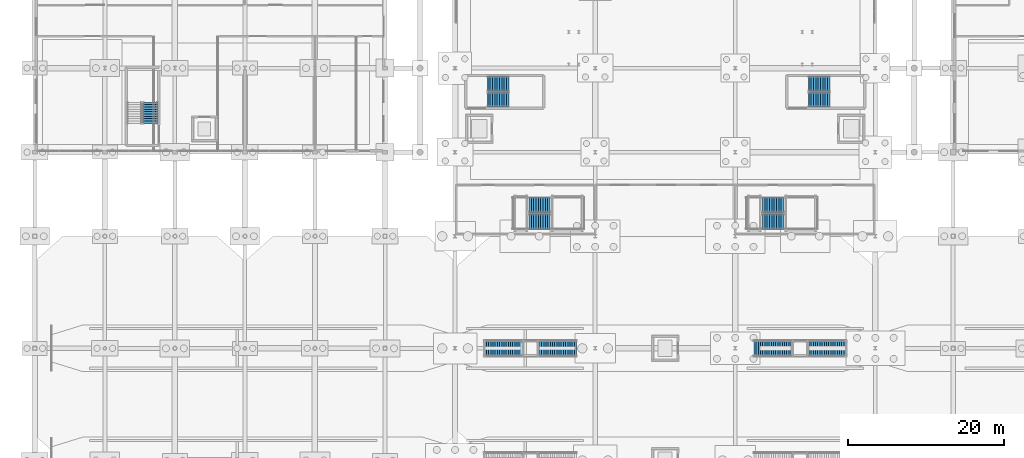
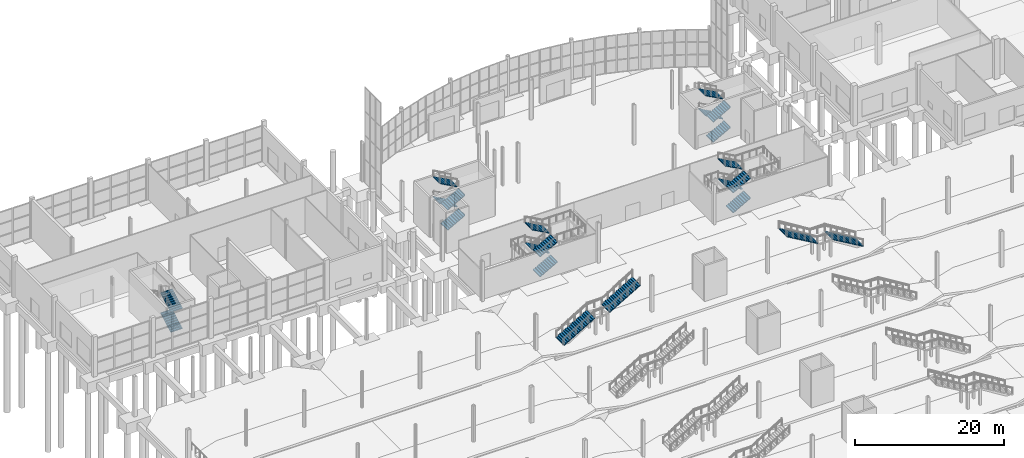
# One storey, part 97 of 115: 22 stair flights, 7 elements without a shape of their own.
"""IFC4 building model written with IfcOpenShell, lengths in metres."""

from ifc_helpers import new_model, si_unit, direction, frame, origin, place, context, subcontext, project, spatial, polyline, outline, extrude, material, type_object, element, aggregate, save


model = new_model("IFC4")

# Units and contexts
model_context = context("Model", 3, precision=1e-05, world=origin(), true_north=direction((0.0, 1.0)))
body_context = subcontext(model_context, "Body", "Model", "MODEL_VIEW")
ifc_project = project(units=[si_unit("LENGTHUNIT", "METRE"), si_unit("AREAUNIT", "SQUARE_METRE"), si_unit("VOLUMEUNIT", "CUBIC_METRE"), si_unit("PLANEANGLEUNIT", "RADIAN"), si_unit("MASSUNIT", "GRAM", prefix="KILO")], contexts=[model_context])

# Site, building, storey
site_placement = place(None, origin())
site = spatial("IfcSite", under=ifc_project, at=site_placement, CompositionType="ELEMENT")
building_placement = place(site_placement, origin())
building = spatial("IfcBuilding", under=site, at=building_placement, Name="Tamarisk Ironworks Central Station", CompositionType="ELEMENT")
storey_placement = place(building_placement, origin())
storey = spatial("IfcBuildingStorey", under=building, at=storey_placement, Name="L00", CompositionType="ELEMENT", Elevation=0.0)

# Stair, stair flights
ifc_material = material(Name="Concrete C35/45", Category="concrete")
stair_type_1 = type_object("IfcStairType", Name="ST-CORE-B", PredefinedType="HALF_TURN_STAIR", material=ifc_material)
stair_1_placement = place(storey_placement, origin())
stair_1 = element("IfcStair", 1, at=stair_1_placement, inside=storey, type_object=stair_type_1, Name="L00 West Concourse Exit Stair Core 3", PredefinedType="HALF_TURN_STAIR")
stair_flight_type_1 = type_object("IfcStairFlightType", Name="SF-CORE-B", PredefinedType="STRAIGHT", material=ifc_material)
stair_flight_1_placement = place(storey_placement, frame((58.199951171875, 96.72509765625, 0.0), z_axis=(0.0, 0.0, 1.0), x_axis=(1.0, 0.0, 0.0)))
stair_flight_1 = element("IfcStairFlight", 2, at=stair_flight_1_placement, type_object=stair_flight_type_1, Name="ST-C3 flight 1", NumberOfRisers=10, NumberOfTreads=9, PredefinedType="STRAIGHT", RiserHeight=0.165, TreadLength=0.3, context=body_context, shape_type="SweptSolid", body=[
    extrude(outline(polyline([(-0.01806640625, 0.0), (-0.01806640625, 0.107177734375), (0.0, 0.107177734375), (0.0, 0.1650390625), (0.300048828125, 0.1650390625), (0.300048828125, 0.330078125), (0.60009765625, 0.330078125), (0.60009765625, 0.4951171875), (0.89990234375, 0.4951171875), (0.89990234375, 0.659912109375), (1.199951171875, 0.659912109375), (1.199951171875, 0.824951171875), (1.5, 0.824951171875), (1.5, 0.989990234375), (1.800048828125, 0.989990234375), (1.800048828125, 1.155029296875), (2.10009765625, 1.155029296875), (2.10009765625, 1.320068359375), (2.39990234375, 1.320068359375), (2.39990234375, 1.485107421875), (2.699951171875, 1.485107421875), (2.699951171875, 1.64990234375), (2.718017578125, 1.64990234375), (2.718017578125, 1.4599609375), (0.080078125, 0.0), (-0.01806640625, 0.0)])), frame((0.0, 0.925048828125, 0.0), z_axis=(0.0, -1.0, 0.0), x_axis=(1.0, 0.0, 0.0)), (0.0, 0.0, 1.0), 1.85009765625),
])
stair_flight_2_placement = place(storey_placement, frame((60.89990234375, 98.77490234375, 1.64990234375), z_axis=(0.0, 0.0, 1.0), x_axis=(-1.0, 0.0, 0.0)))
stair_flight_2 = element("IfcStairFlight", 3, at=stair_flight_2_placement, type_object=stair_flight_type_1, Name="ST-C3 flight 2", NumberOfRisers=10, NumberOfTreads=9, PredefinedType="STRAIGHT", RiserHeight=0.165, TreadLength=0.3, context=body_context, shape_type="SweptSolid", body=[
    extrude(outline(polyline([(-0.01806640625, 0.0), (-0.01806640625, 0.107177734375), (0.0, 0.107177734375), (0.0, 0.1650390625), (0.300048828125, 0.1650390625), (0.300048828125, 0.330078125), (0.60009765625, 0.330078125), (0.60009765625, 0.4951171875), (0.89990234375, 0.4951171875), (0.89990234375, 0.659912109375), (1.199951171875, 0.659912109375), (1.199951171875, 0.824951171875), (1.5, 0.824951171875), (1.5, 0.989990234375), (1.800048828125, 0.989990234375), (1.800048828125, 1.155029296875), (2.10009765625, 1.155029296875), (2.10009765625, 1.320068359375), (2.39990234375, 1.320068359375), (2.39990234375, 1.485107421875), (2.699951171875, 1.485107421875), (2.699951171875, 1.64990234375), (2.718017578125, 1.64990234375), (2.718017578125, 1.4599609375), (0.080078125, 0.0), (-0.01806640625, 0.0)])), frame((0.0, 0.925048828125, 0.0), z_axis=(0.0, -1.0, 0.0), x_axis=(1.0, 0.0, 0.0)), (0.0, 0.0, 1.0), 1.85009765625),
])
stair_flight_3_placement = place(storey_placement, frame((58.199951171875, 96.72509765625, 3.300048828125), z_axis=(0.0, 0.0, 1.0), x_axis=(1.0, 0.0, 0.0)))
stair_flight_3 = element("IfcStairFlight", 4, at=stair_flight_3_placement, type_object=stair_flight_type_1, Name="ST-C3 flight 3", NumberOfRisers=10, NumberOfTreads=9, PredefinedType="STRAIGHT", RiserHeight=0.165, TreadLength=0.3, context=body_context, shape_type="SweptSolid", body=[
    extrude(outline(polyline([(-0.01806640625, 0.0), (-0.01806640625, 0.107177734375), (0.0, 0.107177734375), (0.0, 0.1650390625), (0.300048828125, 0.1650390625), (0.300048828125, 0.330078125), (0.60009765625, 0.330078125), (0.60009765625, 0.4951171875), (0.89990234375, 0.4951171875), (0.89990234375, 0.659912109375), (1.199951171875, 0.659912109375), (1.199951171875, 0.824951171875), (1.5, 0.824951171875), (1.5, 0.989990234375), (1.800048828125, 0.989990234375), (1.800048828125, 1.155029296875), (2.10009765625, 1.155029296875), (2.10009765625, 1.320068359375), (2.39990234375, 1.320068359375), (2.39990234375, 1.485107421875), (2.699951171875, 1.485107421875), (2.699951171875, 1.64990234375), (2.718017578125, 1.64990234375), (2.718017578125, 1.4599609375), (0.080078125, 0.0), (-0.01806640625, 0.0)])), frame((0.0, 0.925048828125, 0.0), z_axis=(0.0, -1.0, 0.0), x_axis=(1.0, 0.0, 0.0)), (0.0, 0.0, 1.0), 1.85009765625),
])
stair_flight_4_placement = place(storey_placement, frame((60.89990234375, 98.77490234375, 4.949951171875), z_axis=(0.0, 0.0, 1.0), x_axis=(-1.0, 0.0, 0.0)))
stair_flight_4 = element("IfcStairFlight", 5, at=stair_flight_4_placement, type_object=stair_flight_type_1, Name="ST-C3 flight 4", NumberOfRisers=10, NumberOfTreads=9, PredefinedType="STRAIGHT", RiserHeight=0.165, TreadLength=0.3, context=body_context, shape_type="SweptSolid", body=[
    extrude(outline(polyline([(-0.01806640625, 0.0), (-0.01806640625, 0.107177734375), (0.0, 0.107177734375), (0.0, 0.1650390625), (0.300048828125, 0.1650390625), (0.300048828125, 0.330078125), (0.60009765625, 0.330078125), (0.60009765625, 0.4951171875), (0.89990234375, 0.4951171875), (0.89990234375, 0.659912109375), (1.199951171875, 0.659912109375), (1.199951171875, 0.824951171875), (1.5, 0.824951171875), (1.5, 0.989990234375), (1.800048828125, 0.989990234375), (1.800048828125, 1.155029296875), (2.10009765625, 1.155029296875), (2.10009765625, 1.320068359375), (2.39990234375, 1.320068359375), (2.39990234375, 1.485107421875), (2.699951171875, 1.485107421875), (2.699951171875, 1.64990234375), (2.718017578125, 1.64990234375), (2.718017578125, 1.4599609375), (0.080078125, 0.0), (-0.01806640625, 0.0)])), frame((0.0, 0.925048828125, 0.0), z_axis=(0.0, -1.0, 0.0), x_axis=(1.0, 0.0, 0.0)), (0.0, 0.0, 1.0), 1.85009765625),
])
aggregate(stair_1, [stair_flight_1, stair_flight_2, stair_flight_3, stair_flight_4])

stair_2_placement = place(storey_placement, origin())
stair_2 = element("IfcStair", 6, at=stair_2_placement, inside=storey, type_object=stair_type_1, Name="L00 East Concourse Exit Stair Core 4", PredefinedType="HALF_TURN_STAIR")
stair_flight_5_placement = place(storey_placement, frame((99.449951171875, 96.72509765625, 0.0), z_axis=(0.0, 0.0, 1.0), x_axis=(1.0, 0.0, 0.0)))
stair_flight_5 = element("IfcStairFlight", 7, at=stair_flight_5_placement, type_object=stair_flight_type_1, Name="ST-C4 flight 1", NumberOfRisers=10, NumberOfTreads=9, PredefinedType="STRAIGHT", RiserHeight=0.165, TreadLength=0.3, context=body_context, shape_type="SweptSolid", body=[
    extrude(outline(polyline([(-0.01806640625, 0.0), (-0.01806640625, 0.107177734375), (0.0, 0.107177734375), (0.0, 0.1650390625), (0.300048828125, 0.1650390625), (0.300048828125, 0.330078125), (0.60009765625, 0.330078125), (0.60009765625, 0.4951171875), (0.89990234375, 0.4951171875), (0.89990234375, 0.659912109375), (1.199951171875, 0.659912109375), (1.199951171875, 0.824951171875), (1.5, 0.824951171875), (1.5, 0.989990234375), (1.800048828125, 0.989990234375), (1.800048828125, 1.155029296875), (2.10009765625, 1.155029296875), (2.10009765625, 1.320068359375), (2.39990234375, 1.320068359375), (2.39990234375, 1.485107421875), (2.699951171875, 1.485107421875), (2.699951171875, 1.64990234375), (2.718017578125, 1.64990234375), (2.718017578125, 1.4599609375), (0.080078125, 0.0), (-0.01806640625, 0.0)])), frame((0.0, 0.925048828125, 0.0), z_axis=(0.0, -1.0, 0.0), x_axis=(1.0, 0.0, 0.0)), (0.0, 0.0, 1.0), 1.85009765625),
])
stair_flight_6_placement = place(storey_placement, frame((102.14990234375, 98.77490234375, 1.64990234375), z_axis=(0.0, 0.0, 1.0), x_axis=(-1.0, 0.0, 0.0)))
stair_flight_6 = element("IfcStairFlight", 8, at=stair_flight_6_placement, type_object=stair_flight_type_1, Name="ST-C4 flight 2", NumberOfRisers=10, NumberOfTreads=9, PredefinedType="STRAIGHT", RiserHeight=0.165, TreadLength=0.3, context=body_context, shape_type="SweptSolid", body=[
    extrude(outline(polyline([(-0.01806640625, 0.0), (-0.01806640625, 0.107177734375), (0.0, 0.107177734375), (0.0, 0.1650390625), (0.300048828125, 0.1650390625), (0.300048828125, 0.330078125), (0.60009765625, 0.330078125), (0.60009765625, 0.4951171875), (0.89990234375, 0.4951171875), (0.89990234375, 0.659912109375), (1.199951171875, 0.659912109375), (1.199951171875, 0.824951171875), (1.5, 0.824951171875), (1.5, 0.989990234375), (1.800048828125, 0.989990234375), (1.800048828125, 1.155029296875), (2.10009765625, 1.155029296875), (2.10009765625, 1.320068359375), (2.39990234375, 1.320068359375), (2.39990234375, 1.485107421875), (2.699951171875, 1.485107421875), (2.699951171875, 1.64990234375), (2.718017578125, 1.64990234375), (2.718017578125, 1.4599609375), (0.080078125, 0.0), (-0.01806640625, 0.0)])), frame((0.0, 0.925048828125, 0.0), z_axis=(0.0, -1.0, 0.0), x_axis=(1.0, 0.0, 0.0)), (0.0, 0.0, 1.0), 1.85009765625),
])
stair_flight_7_placement = place(storey_placement, frame((99.449951171875, 96.72509765625, 3.300048828125), z_axis=(0.0, 0.0, 1.0), x_axis=(1.0, 0.0, 0.0)))
stair_flight_7 = element("IfcStairFlight", 9, at=stair_flight_7_placement, type_object=stair_flight_type_1, Name="ST-C4 flight 3", NumberOfRisers=10, NumberOfTreads=9, PredefinedType="STRAIGHT", RiserHeight=0.165, TreadLength=0.3, context=body_context, shape_type="SweptSolid", body=[
    extrude(outline(polyline([(-0.01806640625, 0.0), (-0.01806640625, 0.107177734375), (0.0, 0.107177734375), (0.0, 0.1650390625), (0.300048828125, 0.1650390625), (0.300048828125, 0.330078125), (0.60009765625, 0.330078125), (0.60009765625, 0.4951171875), (0.89990234375, 0.4951171875), (0.89990234375, 0.659912109375), (1.199951171875, 0.659912109375), (1.199951171875, 0.824951171875), (1.5, 0.824951171875), (1.5, 0.989990234375), (1.800048828125, 0.989990234375), (1.800048828125, 1.155029296875), (2.10009765625, 1.155029296875), (2.10009765625, 1.320068359375), (2.39990234375, 1.320068359375), (2.39990234375, 1.485107421875), (2.699951171875, 1.485107421875), (2.699951171875, 1.64990234375), (2.718017578125, 1.64990234375), (2.718017578125, 1.4599609375), (0.080078125, 0.0), (-0.01806640625, 0.0)])), frame((0.0, 0.925048828125, 0.0), z_axis=(0.0, -1.0, 0.0), x_axis=(1.0, 0.0, 0.0)), (0.0, 0.0, 1.0), 1.85009765625),
])
stair_flight_8_placement = place(storey_placement, frame((102.14990234375, 98.77490234375, 4.949951171875), z_axis=(0.0, 0.0, 1.0), x_axis=(-1.0, 0.0, 0.0)))
stair_flight_8 = element("IfcStairFlight", 10, at=stair_flight_8_placement, type_object=stair_flight_type_1, Name="ST-C4 flight 4", NumberOfRisers=10, NumberOfTreads=9, PredefinedType="STRAIGHT", RiserHeight=0.165, TreadLength=0.3, context=body_context, shape_type="SweptSolid", body=[
    extrude(outline(polyline([(-0.01806640625, 0.0), (-0.01806640625, 0.107177734375), (0.0, 0.107177734375), (0.0, 0.1650390625), (0.300048828125, 0.1650390625), (0.300048828125, 0.330078125), (0.60009765625, 0.330078125), (0.60009765625, 0.4951171875), (0.89990234375, 0.4951171875), (0.89990234375, 0.659912109375), (1.199951171875, 0.659912109375), (1.199951171875, 0.824951171875), (1.5, 0.824951171875), (1.5, 0.989990234375), (1.800048828125, 0.989990234375), (1.800048828125, 1.155029296875), (2.10009765625, 1.155029296875), (2.10009765625, 1.320068359375), (2.39990234375, 1.320068359375), (2.39990234375, 1.485107421875), (2.699951171875, 1.485107421875), (2.699951171875, 1.64990234375), (2.718017578125, 1.64990234375), (2.718017578125, 1.4599609375), (0.080078125, 0.0), (-0.01806640625, 0.0)])), frame((0.0, 0.925048828125, 0.0), z_axis=(0.0, -1.0, 0.0), x_axis=(1.0, 0.0, 0.0)), (0.0, 0.0, 1.0), 1.85009765625),
])
aggregate(stair_2, [stair_flight_5, stair_flight_6, stair_flight_7, stair_flight_8])

stair_type_2 = type_object("IfcStairType", Name="ST-CORE-C", PredefinedType="HALF_TURN_STAIR", material=ifc_material)
stair_3_placement = place(storey_placement, origin())
stair_3 = element("IfcStair", 11, at=stair_3_placement, inside=storey, type_object=stair_type_2, Name="L00 Retail Pavilion Exit Stair Core 6", PredefinedType="HALF_TURN_STAIR")
stair_flight_type_2 = type_object("IfcStairFlightType", Name="SF-CORE-C", PredefinedType="STRAIGHT", material=ifc_material)
stair_flight_9_placement = place(storey_placement, frame((14.875, 93.699951171875, 0.0), z_axis=(0.0, 0.0, 1.0), x_axis=(0.0, 1.0, 0.0)))
stair_flight_9 = element("IfcStairFlight", 12, at=stair_flight_9_placement, type_object=stair_flight_type_2, Name="ST-C6 flight 1", NumberOfRisers=10, NumberOfTreads=9, PredefinedType="STRAIGHT", RiserHeight=0.165, TreadLength=0.3, context=body_context, shape_type="SweptSolid", body=[
    extrude(outline(polyline([(-0.01806640625, 0.0), (-0.01806640625, 0.107177734375), (0.0, 0.107177734375), (0.0, 0.1650390625), (0.300048828125, 0.1650390625), (0.300048828125, 0.330078125), (0.60009765625, 0.330078125), (0.60009765625, 0.4951171875), (0.89990234375, 0.4951171875), (0.89990234375, 0.659912109375), (1.199951171875, 0.659912109375), (1.199951171875, 0.824951171875), (1.5, 0.824951171875), (1.5, 0.989990234375), (1.800048828125, 0.989990234375), (1.800048828125, 1.155029296875), (2.10009765625, 1.155029296875), (2.10009765625, 1.320068359375), (2.39990234375, 1.320068359375), (2.39990234375, 1.485107421875), (2.699951171875, 1.485107421875), (2.699951171875, 1.64990234375), (2.718017578125, 1.64990234375), (2.718017578125, 1.4599609375), (0.080078125, 0.0), (-0.01806640625, 0.0)])), frame((0.0, 0.925048828125, 0.0), z_axis=(0.0, -1.0, 0.0), x_axis=(1.0, 0.0, 0.0)), (0.0, 0.0, 1.0), 1.85009765625),
])
stair_flight_10_placement = place(storey_placement, frame((14.875, 93.699951171875, 3.300048828125), z_axis=(0.0, 0.0, 1.0), x_axis=(0.0, 1.0, 0.0)))
stair_flight_10 = element("IfcStairFlight", 13, at=stair_flight_10_placement, type_object=stair_flight_type_2, Name="ST-C6 flight 3", NumberOfRisers=10, NumberOfTreads=9, PredefinedType="STRAIGHT", RiserHeight=0.165, TreadLength=0.3, context=body_context, shape_type="SweptSolid", body=[
    extrude(outline(polyline([(-0.01806640625, 0.0), (-0.01806640625, 0.107177734375), (0.0, 0.107177734375), (0.0, 0.1650390625), (0.300048828125, 0.1650390625), (0.300048828125, 0.330078125), (0.60009765625, 0.330078125), (0.60009765625, 0.4951171875), (0.89990234375, 0.4951171875), (0.89990234375, 0.659912109375), (1.199951171875, 0.659912109375), (1.199951171875, 0.824951171875), (1.5, 0.824951171875), (1.5, 0.989990234375), (1.800048828125, 0.989990234375), (1.800048828125, 1.155029296875), (2.10009765625, 1.155029296875), (2.10009765625, 1.320068359375), (2.39990234375, 1.320068359375), (2.39990234375, 1.485107421875), (2.699951171875, 1.485107421875), (2.699951171875, 1.64990234375), (2.718017578125, 1.64990234375), (2.718017578125, 1.4599609375), (0.080078125, 0.0), (-0.01806640625, 0.0)])), frame((0.0, 0.925048828125, 0.0), z_axis=(0.0, -1.0, 0.0), x_axis=(1.0, 0.0, 0.0)), (0.0, 0.0, 1.0), 1.85009765625),
])
aggregate(stair_3, [stair_flight_9, stair_flight_10])

stair_type_3 = type_object("IfcStairType", Name="ST-HALL", PredefinedType="HALF_TURN_STAIR", material=ifc_material)
stair_4_placement = place(storey_placement, origin())
stair_4 = element("IfcStair", 14, at=stair_4_placement, inside=storey, type_object=stair_type_3, Name="L00 West Ticket Hall Grand Stair", PredefinedType="HALF_TURN_STAIR")
stair_flight_type_3 = type_object("IfcStairFlightType", Name="SF-HALL", PredefinedType="STRAIGHT", material=ifc_material)
stair_flight_11_placement = place(storey_placement, frame((63.5, 81.074951171875, 0.0), z_axis=(0.0, 0.0, 1.0), x_axis=(1.0, 0.0, 0.0)))
stair_flight_11 = element("IfcStairFlight", 15, at=stair_flight_11_placement, type_object=stair_flight_type_3, Name="ST-TH1 flight 1", NumberOfRisers=10, NumberOfTreads=9, PredefinedType="STRAIGHT", RiserHeight=0.165, TreadLength=0.3, context=body_context, shape_type="SweptSolid", body=[
    extrude(outline(polyline([(-0.01806640625, 0.0), (-0.01806640625, 0.107177734375), (0.0, 0.107177734375), (0.0, 0.1650390625), (0.300048828125, 0.1650390625), (0.300048828125, 0.330078125), (0.60009765625, 0.330078125), (0.60009765625, 0.4951171875), (0.89990234375, 0.4951171875), (0.89990234375, 0.659912109375), (1.199951171875, 0.659912109375), (1.199951171875, 0.824951171875), (1.5, 0.824951171875), (1.5, 0.989990234375), (1.800048828125, 0.989990234375), (1.800048828125, 1.155029296875), (2.10009765625, 1.155029296875), (2.10009765625, 1.320068359375), (2.39990234375, 1.320068359375), (2.39990234375, 1.485107421875), (2.699951171875, 1.485107421875), (2.699951171875, 1.64990234375), (2.718017578125, 1.64990234375), (2.718017578125, 1.4599609375), (0.080078125, 0.0), (-0.01806640625, 0.0)])), frame((0.0, 0.97509765625, 0.0), z_axis=(0.0, -1.0, 0.0), x_axis=(1.0, 0.0, 0.0)), (0.0, 0.0, 1.0), 1.949951171875),
])
stair_flight_12_placement = place(storey_placement, frame((66.199951171875, 83.22509765625, 1.64990234375), z_axis=(0.0, 0.0, 1.0), x_axis=(-1.0, 0.0, 0.0)))
stair_flight_12 = element("IfcStairFlight", 16, at=stair_flight_12_placement, type_object=stair_flight_type_3, Name="ST-TH1 flight 2", NumberOfRisers=10, NumberOfTreads=9, PredefinedType="STRAIGHT", RiserHeight=0.165, TreadLength=0.3, context=body_context, shape_type="SweptSolid", body=[
    extrude(outline(polyline([(-0.01806640625, 0.0), (-0.01806640625, 0.107177734375), (0.0, 0.107177734375), (0.0, 0.1650390625), (0.300048828125, 0.1650390625), (0.300048828125, 0.330078125), (0.60009765625, 0.330078125), (0.60009765625, 0.4951171875), (0.89990234375, 0.4951171875), (0.89990234375, 0.659912109375), (1.199951171875, 0.659912109375), (1.199951171875, 0.824951171875), (1.5, 0.824951171875), (1.5, 0.989990234375), (1.800048828125, 0.989990234375), (1.800048828125, 1.155029296875), (2.10009765625, 1.155029296875), (2.10009765625, 1.320068359375), (2.39990234375, 1.320068359375), (2.39990234375, 1.485107421875), (2.699951171875, 1.485107421875), (2.699951171875, 1.64990234375), (2.718017578125, 1.64990234375), (2.718017578125, 1.4599609375), (0.080078125, 0.0), (-0.01806640625, 0.0)])), frame((0.0, 0.97509765625, 0.0), z_axis=(0.0, -1.0, 0.0), x_axis=(1.0, 0.0, 0.0)), (0.0, 0.0, 1.0), 1.949951171875),
])
stair_flight_13_placement = place(storey_placement, frame((63.5, 81.074951171875, 3.300048828125), z_axis=(0.0, 0.0, 1.0), x_axis=(1.0, 0.0, 0.0)))
stair_flight_13 = element("IfcStairFlight", 17, at=stair_flight_13_placement, type_object=stair_flight_type_3, Name="ST-TH1 flight 3", NumberOfRisers=10, NumberOfTreads=9, PredefinedType="STRAIGHT", RiserHeight=0.165, TreadLength=0.3, context=body_context, shape_type="SweptSolid", body=[
    extrude(outline(polyline([(-0.01806640625, 0.0), (-0.01806640625, 0.107177734375), (0.0, 0.107177734375), (0.0, 0.1650390625), (0.300048828125, 0.1650390625), (0.300048828125, 0.330078125), (0.60009765625, 0.330078125), (0.60009765625, 0.4951171875), (0.89990234375, 0.4951171875), (0.89990234375, 0.659912109375), (1.199951171875, 0.659912109375), (1.199951171875, 0.824951171875), (1.5, 0.824951171875), (1.5, 0.989990234375), (1.800048828125, 0.989990234375), (1.800048828125, 1.155029296875), (2.10009765625, 1.155029296875), (2.10009765625, 1.320068359375), (2.39990234375, 1.320068359375), (2.39990234375, 1.485107421875), (2.699951171875, 1.485107421875), (2.699951171875, 1.64990234375), (2.718017578125, 1.64990234375), (2.718017578125, 1.4599609375), (0.080078125, 0.0), (-0.01806640625, 0.0)])), frame((0.0, 0.97509765625, 0.0), z_axis=(0.0, -1.0, 0.0), x_axis=(1.0, 0.0, 0.0)), (0.0, 0.0, 1.0), 1.949951171875),
])
stair_flight_14_placement = place(storey_placement, frame((66.199951171875, 83.22509765625, 4.949951171875), z_axis=(0.0, 0.0, 1.0), x_axis=(-1.0, 0.0, 0.0)))
stair_flight_14 = element("IfcStairFlight", 18, at=stair_flight_14_placement, type_object=stair_flight_type_3, Name="ST-TH1 flight 4", NumberOfRisers=10, NumberOfTreads=9, PredefinedType="STRAIGHT", RiserHeight=0.165, TreadLength=0.3, context=body_context, shape_type="SweptSolid", body=[
    extrude(outline(polyline([(-0.01806640625, 0.0), (-0.01806640625, 0.107177734375), (0.0, 0.107177734375), (0.0, 0.1650390625), (0.300048828125, 0.1650390625), (0.300048828125, 0.330078125), (0.60009765625, 0.330078125), (0.60009765625, 0.4951171875), (0.89990234375, 0.4951171875), (0.89990234375, 0.659912109375), (1.199951171875, 0.659912109375), (1.199951171875, 0.824951171875), (1.5, 0.824951171875), (1.5, 0.989990234375), (1.800048828125, 0.989990234375), (1.800048828125, 1.155029296875), (2.10009765625, 1.155029296875), (2.10009765625, 1.320068359375), (2.39990234375, 1.320068359375), (2.39990234375, 1.485107421875), (2.699951171875, 1.485107421875), (2.699951171875, 1.64990234375), (2.718017578125, 1.64990234375), (2.718017578125, 1.4599609375), (0.080078125, 0.0), (-0.01806640625, 0.0)])), frame((0.0, 0.97509765625, 0.0), z_axis=(0.0, -1.0, 0.0), x_axis=(1.0, 0.0, 0.0)), (0.0, 0.0, 1.0), 1.949951171875),
])
aggregate(stair_4, [stair_flight_11, stair_flight_12, stair_flight_13, stair_flight_14])

stair_5_placement = place(storey_placement, origin())
stair_5 = element("IfcStair", 19, at=stair_5_placement, inside=storey, type_object=stair_type_3, Name="L00 East Ticket Hall Grand Stair", PredefinedType="HALF_TURN_STAIR")
stair_flight_15_placement = place(storey_placement, frame((93.5, 81.074951171875, 0.0), z_axis=(0.0, 0.0, 1.0), x_axis=(1.0, 0.0, 0.0)))
stair_flight_15 = element("IfcStairFlight", 20, at=stair_flight_15_placement, type_object=stair_flight_type_3, Name="ST-TH2 flight 1", NumberOfRisers=10, NumberOfTreads=9, PredefinedType="STRAIGHT", RiserHeight=0.165, TreadLength=0.3, context=body_context, shape_type="SweptSolid", body=[
    extrude(outline(polyline([(-0.01806640625, 0.0), (-0.01806640625, 0.107177734375), (0.0, 0.107177734375), (0.0, 0.1650390625), (0.300048828125, 0.1650390625), (0.300048828125, 0.330078125), (0.60009765625, 0.330078125), (0.60009765625, 0.4951171875), (0.89990234375, 0.4951171875), (0.89990234375, 0.659912109375), (1.199951171875, 0.659912109375), (1.199951171875, 0.824951171875), (1.5, 0.824951171875), (1.5, 0.989990234375), (1.800048828125, 0.989990234375), (1.800048828125, 1.155029296875), (2.10009765625, 1.155029296875), (2.10009765625, 1.320068359375), (2.39990234375, 1.320068359375), (2.39990234375, 1.485107421875), (2.699951171875, 1.485107421875), (2.699951171875, 1.64990234375), (2.718017578125, 1.64990234375), (2.718017578125, 1.4599609375), (0.080078125, 0.0), (-0.01806640625, 0.0)])), frame((0.0, 0.97509765625, 0.0), z_axis=(0.0, -1.0, 0.0), x_axis=(1.0, 0.0, 0.0)), (0.0, 0.0, 1.0), 1.949951171875),
])
stair_flight_16_placement = place(storey_placement, frame((96.199951171875, 83.22509765625, 1.64990234375), z_axis=(0.0, 0.0, 1.0), x_axis=(-1.0, 0.0, 0.0)))
stair_flight_16 = element("IfcStairFlight", 21, at=stair_flight_16_placement, type_object=stair_flight_type_3, Name="ST-TH2 flight 2", NumberOfRisers=10, NumberOfTreads=9, PredefinedType="STRAIGHT", RiserHeight=0.165, TreadLength=0.3, context=body_context, shape_type="SweptSolid", body=[
    extrude(outline(polyline([(-0.01806640625, 0.0), (-0.01806640625, 0.107177734375), (0.0, 0.107177734375), (0.0, 0.1650390625), (0.300048828125, 0.1650390625), (0.300048828125, 0.330078125), (0.60009765625, 0.330078125), (0.60009765625, 0.4951171875), (0.89990234375, 0.4951171875), (0.89990234375, 0.659912109375), (1.199951171875, 0.659912109375), (1.199951171875, 0.824951171875), (1.5, 0.824951171875), (1.5, 0.989990234375), (1.800048828125, 0.989990234375), (1.800048828125, 1.155029296875), (2.10009765625, 1.155029296875), (2.10009765625, 1.320068359375), (2.39990234375, 1.320068359375), (2.39990234375, 1.485107421875), (2.699951171875, 1.485107421875), (2.699951171875, 1.64990234375), (2.718017578125, 1.64990234375), (2.718017578125, 1.4599609375), (0.080078125, 0.0), (-0.01806640625, 0.0)])), frame((0.0, 0.97509765625, 0.0), z_axis=(0.0, -1.0, 0.0), x_axis=(1.0, 0.0, 0.0)), (0.0, 0.0, 1.0), 1.949951171875),
])
stair_flight_17_placement = place(storey_placement, frame((93.5, 81.074951171875, 3.300048828125), z_axis=(0.0, 0.0, 1.0), x_axis=(1.0, 0.0, 0.0)))
stair_flight_17 = element("IfcStairFlight", 22, at=stair_flight_17_placement, type_object=stair_flight_type_3, Name="ST-TH2 flight 3", NumberOfRisers=10, NumberOfTreads=9, PredefinedType="STRAIGHT", RiserHeight=0.165, TreadLength=0.3, context=body_context, shape_type="SweptSolid", body=[
    extrude(outline(polyline([(-0.01806640625, 0.0), (-0.01806640625, 0.107177734375), (0.0, 0.107177734375), (0.0, 0.1650390625), (0.300048828125, 0.1650390625), (0.300048828125, 0.330078125), (0.60009765625, 0.330078125), (0.60009765625, 0.4951171875), (0.89990234375, 0.4951171875), (0.89990234375, 0.659912109375), (1.199951171875, 0.659912109375), (1.199951171875, 0.824951171875), (1.5, 0.824951171875), (1.5, 0.989990234375), (1.800048828125, 0.989990234375), (1.800048828125, 1.155029296875), (2.10009765625, 1.155029296875), (2.10009765625, 1.320068359375), (2.39990234375, 1.320068359375), (2.39990234375, 1.485107421875), (2.699951171875, 1.485107421875), (2.699951171875, 1.64990234375), (2.718017578125, 1.64990234375), (2.718017578125, 1.4599609375), (0.080078125, 0.0), (-0.01806640625, 0.0)])), frame((0.0, 0.97509765625, 0.0), z_axis=(0.0, -1.0, 0.0), x_axis=(1.0, 0.0, 0.0)), (0.0, 0.0, 1.0), 1.949951171875),
])
stair_flight_18_placement = place(storey_placement, frame((96.199951171875, 83.22509765625, 4.949951171875), z_axis=(0.0, 0.0, 1.0), x_axis=(-1.0, 0.0, 0.0)))
stair_flight_18 = element("IfcStairFlight", 23, at=stair_flight_18_placement, type_object=stair_flight_type_3, Name="ST-TH2 flight 4", NumberOfRisers=10, NumberOfTreads=9, PredefinedType="STRAIGHT", RiserHeight=0.165, TreadLength=0.3, context=body_context, shape_type="SweptSolid", body=[
    extrude(outline(polyline([(-0.01806640625, 0.0), (-0.01806640625, 0.107177734375), (0.0, 0.107177734375), (0.0, 0.1650390625), (0.300048828125, 0.1650390625), (0.300048828125, 0.330078125), (0.60009765625, 0.330078125), (0.60009765625, 0.4951171875), (0.89990234375, 0.4951171875), (0.89990234375, 0.659912109375), (1.199951171875, 0.659912109375), (1.199951171875, 0.824951171875), (1.5, 0.824951171875), (1.5, 0.989990234375), (1.800048828125, 0.989990234375), (1.800048828125, 1.155029296875), (2.10009765625, 1.155029296875), (2.10009765625, 1.320068359375), (2.39990234375, 1.320068359375), (2.39990234375, 1.485107421875), (2.699951171875, 1.485107421875), (2.699951171875, 1.64990234375), (2.718017578125, 1.64990234375), (2.718017578125, 1.4599609375), (0.080078125, 0.0), (-0.01806640625, 0.0)])), frame((0.0, 0.97509765625, 0.0), z_axis=(0.0, -1.0, 0.0), x_axis=(1.0, 0.0, 0.0)), (0.0, 0.0, 1.0), 1.949951171875),
])
aggregate(stair_5, [stair_flight_15, stair_flight_16, stair_flight_17, stair_flight_18])

stair_type_4 = type_object("IfcStairType", Name="ST-PLAT", PredefinedType="TWO_STRAIGHT_RUN_STAIR", material=ifc_material)
stair_6_placement = place(storey_placement, origin())
stair_6 = element("IfcStair", 24, at=stair_6_placement, inside=storey, type_object=stair_type_4, Name="Platform 4 Boarding Stair ST-P4A", PredefinedType="TWO_STRAIGHT_RUN_STAIR")
stair_flight_type_4 = type_object("IfcStairFlightType", Name="SF-PLAT", PredefinedType="STRAIGHT", material=ifc_material)
stair_flight_19_placement = place(storey_placement, frame((57.760009765625, 64.800048828125, 0.719970703125), z_axis=(0.0, 0.0, 1.0), x_axis=(1.0, 0.0, 0.0)))
stair_flight_19 = element("IfcStairFlight", 25, at=stair_flight_19_placement, type_object=stair_flight_type_4, Name="STP1 flight 1", NumberOfRisers=18, NumberOfTreads=17, PredefinedType="STRAIGHT", RiserHeight=0.163333, TreadLength=0.28, context=body_context, shape_type="SweptSolid", body=[
    extrude(outline(polyline([(-0.01806640625, 0.0), (-0.01806640625, 0.106201171875), (0.0, 0.106201171875), (0.0, 0.163330078125), (0.280029296875, 0.163330078125), (0.280029296875, 0.32666015625), (0.56005859375, 0.32666015625), (0.56005859375, 0.489990234375), (0.840087890625, 0.489990234375), (0.840087890625, 0.6533203125), (1.1201171875, 0.6533203125), (1.1201171875, 0.816650390625), (1.39990234375, 0.816650390625), (1.39990234375, 0.97998046875), (1.679931640625, 0.97998046875), (1.679931640625, 1.143310546875), (1.9599609375, 1.143310546875), (1.9599609375, 1.306640625), (2.239990234375, 1.306640625), (2.239990234375, 1.469970703125), (2.52001953125, 1.469970703125), (2.52001953125, 1.63330078125), (2.800048828125, 1.63330078125), (2.800048828125, 1.796630859375), (3.080078125, 1.796630859375), (3.080078125, 1.9599609375), (3.360107421875, 1.9599609375), (3.360107421875, 2.123291015625), (3.639892578125, 2.123291015625), (3.639892578125, 2.28662109375), (3.919921875, 2.28662109375), (3.919921875, 2.449951171875), (4.199951171875, 2.449951171875), (4.199951171875, 2.61328125), (4.47998046875, 2.61328125), (4.47998046875, 2.776611328125), (4.760009765625, 2.776611328125), (4.760009765625, 2.93994140625), (4.778076171875, 2.93994140625), (4.778076171875, 2.75), (0.080078125, 0.0), (-0.01806640625, 0.0)])), frame((0.0, 1.10009765625, 0.0), z_axis=(0.0, -1.0, 0.0), x_axis=(1.0, 0.0, 0.0)), (0.0, 0.0, 1.0), 2.199951171875),
])
stair_flight_20_placement = place(storey_placement, frame((64.840087890625, 64.800048828125, 3.659912109375), z_axis=(0.0, 0.0, 1.0), x_axis=(1.0, 0.0, 0.0)))
stair_flight_20 = element("IfcStairFlight", 26, at=stair_flight_20_placement, type_object=stair_flight_type_4, Name="STP1 flight 2", NumberOfRisers=18, NumberOfTreads=17, PredefinedType="STRAIGHT", RiserHeight=0.163333, TreadLength=0.28, context=body_context, shape_type="SweptSolid", body=[
    extrude(outline(polyline([(-0.01806640625, 0.0), (-0.01806640625, 0.106201171875), (0.0, 0.106201171875), (0.0, 0.163330078125), (0.280029296875, 0.163330078125), (0.280029296875, 0.32666015625), (0.56005859375, 0.32666015625), (0.56005859375, 0.489990234375), (0.840087890625, 0.489990234375), (0.840087890625, 0.6533203125), (1.1201171875, 0.6533203125), (1.1201171875, 0.816650390625), (1.39990234375, 0.816650390625), (1.39990234375, 0.97998046875), (1.679931640625, 0.97998046875), (1.679931640625, 1.143310546875), (1.9599609375, 1.143310546875), (1.9599609375, 1.306640625), (2.239990234375, 1.306640625), (2.239990234375, 1.469970703125), (2.52001953125, 1.469970703125), (2.52001953125, 1.63330078125), (2.800048828125, 1.63330078125), (2.800048828125, 1.796630859375), (3.080078125, 1.796630859375), (3.080078125, 1.9599609375), (3.360107421875, 1.9599609375), (3.360107421875, 2.123291015625), (3.639892578125, 2.123291015625), (3.639892578125, 2.28662109375), (3.919921875, 2.28662109375), (3.919921875, 2.449951171875), (4.199951171875, 2.449951171875), (4.199951171875, 2.61328125), (4.47998046875, 2.61328125), (4.47998046875, 2.776611328125), (4.760009765625, 2.776611328125), (4.760009765625, 2.93994140625), (4.778076171875, 2.93994140625), (4.778076171875, 2.75), (0.080078125, 0.0), (-0.01806640625, 0.0)])), frame((0.0, 1.10009765625, 0.0), z_axis=(0.0, -1.0, 0.0), x_axis=(1.0, 0.0, 0.0)), (0.0, 0.0, 1.0), 2.199951171875),
])
aggregate(stair_6, [stair_flight_19, stair_flight_20])

stair_7_placement = place(storey_placement, origin())
stair_7 = element("IfcStair", 27, at=stair_7_placement, inside=storey, type_object=stair_type_4, Name="Platform 4 Boarding Stair ST-P4B", PredefinedType="TWO_STRAIGHT_RUN_STAIR")
stair_flight_21_placement = place(storey_placement, frame((104.239990234375, 64.800048828125, 0.719970703125), z_axis=(0.0, 0.0, 1.0), x_axis=(-1.0, 0.0, 0.0)))
stair_flight_21 = element("IfcStairFlight", 28, at=stair_flight_21_placement, type_object=stair_flight_type_4, Name="STP1 flight 1", NumberOfRisers=18, NumberOfTreads=17, PredefinedType="STRAIGHT", RiserHeight=0.163333, TreadLength=0.28, context=body_context, shape_type="SweptSolid", body=[
    extrude(outline(polyline([(-0.01806640625, 0.0), (-0.01806640625, 0.106201171875), (0.0, 0.106201171875), (0.0, 0.163330078125), (0.280029296875, 0.163330078125), (0.280029296875, 0.32666015625), (0.56005859375, 0.32666015625), (0.56005859375, 0.489990234375), (0.840087890625, 0.489990234375), (0.840087890625, 0.6533203125), (1.1201171875, 0.6533203125), (1.1201171875, 0.816650390625), (1.39990234375, 0.816650390625), (1.39990234375, 0.97998046875), (1.679931640625, 0.97998046875), (1.679931640625, 1.143310546875), (1.9599609375, 1.143310546875), (1.9599609375, 1.306640625), (2.239990234375, 1.306640625), (2.239990234375, 1.469970703125), (2.52001953125, 1.469970703125), (2.52001953125, 1.63330078125), (2.800048828125, 1.63330078125), (2.800048828125, 1.796630859375), (3.080078125, 1.796630859375), (3.080078125, 1.9599609375), (3.360107421875, 1.9599609375), (3.360107421875, 2.123291015625), (3.639892578125, 2.123291015625), (3.639892578125, 2.28662109375), (3.919921875, 2.28662109375), (3.919921875, 2.449951171875), (4.199951171875, 2.449951171875), (4.199951171875, 2.61328125), (4.47998046875, 2.61328125), (4.47998046875, 2.776611328125), (4.760009765625, 2.776611328125), (4.760009765625, 2.93994140625), (4.778076171875, 2.93994140625), (4.778076171875, 2.75), (0.080078125, 0.0), (-0.01806640625, 0.0)])), frame((0.0, 1.10009765625, 0.0), z_axis=(0.0, -1.0, 0.0), x_axis=(1.0, 0.0, 0.0)), (0.0, 0.0, 1.0), 2.199951171875),
])
stair_flight_22_placement = place(storey_placement, frame((97.159912109375, 64.800048828125, 3.659912109375), z_axis=(0.0, 0.0, 1.0), x_axis=(-1.0, 0.0, 0.0)))
stair_flight_22 = element("IfcStairFlight", 29, at=stair_flight_22_placement, type_object=stair_flight_type_4, Name="STP1 flight 2", NumberOfRisers=18, NumberOfTreads=17, PredefinedType="STRAIGHT", RiserHeight=0.163333, TreadLength=0.28, context=body_context, shape_type="SweptSolid", body=[
    extrude(outline(polyline([(-0.01806640625, 0.0), (-0.01806640625, 0.106201171875), (0.0, 0.106201171875), (0.0, 0.163330078125), (0.280029296875, 0.163330078125), (0.280029296875, 0.32666015625), (0.56005859375, 0.32666015625), (0.56005859375, 0.489990234375), (0.840087890625, 0.489990234375), (0.840087890625, 0.6533203125), (1.1201171875, 0.6533203125), (1.1201171875, 0.816650390625), (1.39990234375, 0.816650390625), (1.39990234375, 0.97998046875), (1.679931640625, 0.97998046875), (1.679931640625, 1.143310546875), (1.9599609375, 1.143310546875), (1.9599609375, 1.306640625), (2.239990234375, 1.306640625), (2.239990234375, 1.469970703125), (2.52001953125, 1.469970703125), (2.52001953125, 1.63330078125), (2.800048828125, 1.63330078125), (2.800048828125, 1.796630859375), (3.080078125, 1.796630859375), (3.080078125, 1.9599609375), (3.360107421875, 1.9599609375), (3.360107421875, 2.123291015625), (3.639892578125, 2.123291015625), (3.639892578125, 2.28662109375), (3.919921875, 2.28662109375), (3.919921875, 2.449951171875), (4.199951171875, 2.449951171875), (4.199951171875, 2.61328125), (4.47998046875, 2.61328125), (4.47998046875, 2.776611328125), (4.760009765625, 2.776611328125), (4.760009765625, 2.93994140625), (4.778076171875, 2.93994140625), (4.778076171875, 2.75), (0.080078125, 0.0), (-0.01806640625, 0.0)])), frame((0.0, 1.10009765625, 0.0), z_axis=(0.0, -1.0, 0.0), x_axis=(1.0, 0.0, 0.0)), (0.0, 0.0, 1.0), 2.199951171875),
])
aggregate(stair_7, [stair_flight_21, stair_flight_22])

save(model, "model.ifc")
